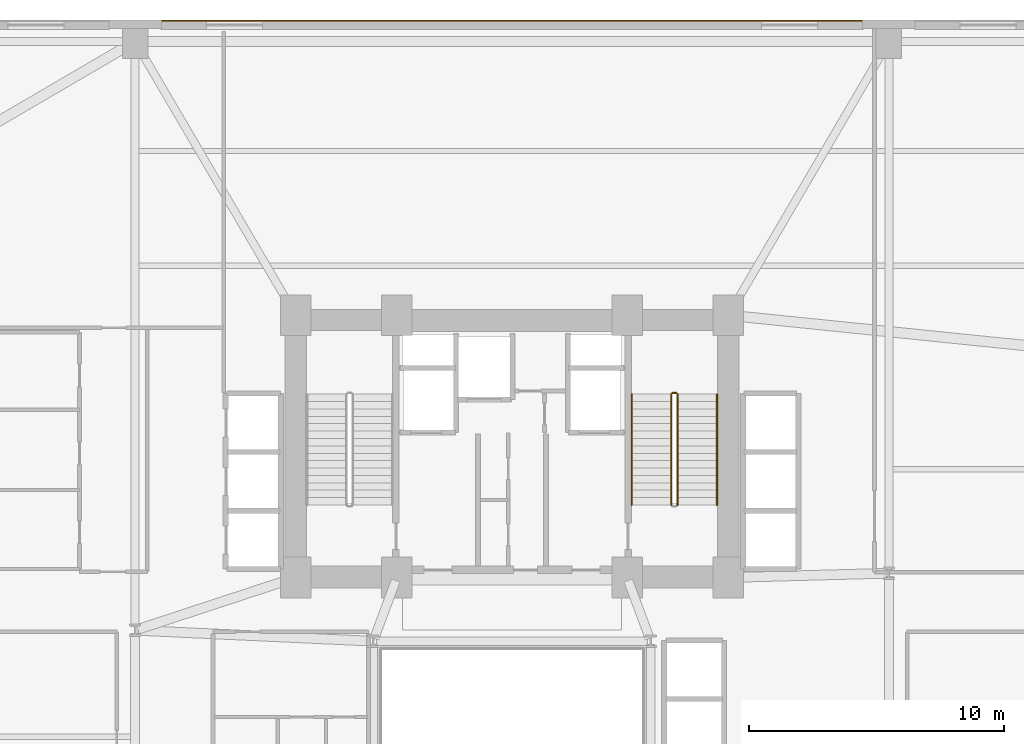
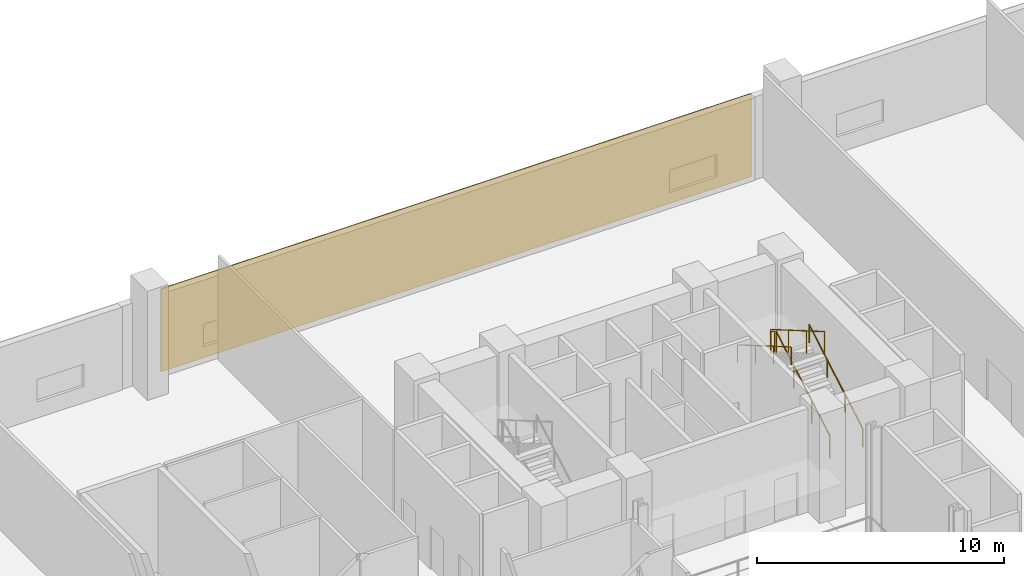
# One storey, part 30 of 31: 5 railings, 1 covering.
"""IFC4 building model written with IfcOpenShell, lengths in metres."""

from ifc_helpers import new_model, si_unit, direction, frame, origin, origin_2d, place, context, subcontext, project, spatial, rectangle, circle, extrude, source, transform, mapped, material, layer, layer_set, type_object, element, save


model = new_model("IFC4")

# Units and contexts
model_context = context("Model", 3, precision=1e-05, world=origin(), true_north=direction((0.0, 1.0)))
body_context = subcontext(model_context, "Body", "Model", "MODEL_VIEW")
ifc_project = project(units=[si_unit("LENGTHUNIT", "METRE"), si_unit("AREAUNIT", "SQUARE_METRE"), si_unit("VOLUMEUNIT", "CUBIC_METRE"), si_unit("PLANEANGLEUNIT", "RADIAN"), si_unit("MASSUNIT", "GRAM", prefix="KILO")], contexts=[model_context])

# Site, building, storey
site_placement = place(None, origin())
site = spatial("IfcSite", under=ifc_project, at=site_placement, CompositionType="ELEMENT")
building_placement = place(site_placement, origin())
building = spatial("IfcBuilding", under=site, at=building_placement, Name="Varnelok Gate Tower", CompositionType="ELEMENT")
storey_placement = place(building_placement, frame((0.0, 0.0, 21.60009765625)))
storey = spatial("IfcBuildingStorey", under=building, at=storey_placement, Name="L04", CompositionType="ELEMENT", Elevation=21.60009765625)

# Railings
ifc_material_1 = material(Name="Brushed Stainless Steel AISI 316", Category="steel")
railing_type_1 = type_object("IfcRailingType", Name="RL-HANDRAIL-900", PredefinedType="HANDRAIL", material=ifc_material_1)
railing_1_placement = place(storey_placement, frame((47.25, 31.60009765625, 0.168701171875)))
element("IfcRailing", 1, at=railing_1_placement, inside=storey, type_object=railing_type_1, Name="L04 ST-2 stair handrail 1", PredefinedType="HANDRAIL", context=body_context, shape_type="SweptSolid", body=[
    extrude(circle(Radius=0.02392578125, at=origin_2d()), frame((0.0, 0.0, 0.8759765625), z_axis=(0.0, 0.864311530196, 0.502956835891), x_axis=(-1.0, 0.0, 0.0)), (0.0, 0.0, 1.0), 5.03271484375),
    extrude(circle(Radius=0.02099609375, at=origin_2d()), origin(), (0.0, 0.0, 1.0), 0.851806640625),
    extrude(circle(Radius=0.02099609375, at=origin_2d()), frame((0.0, 1.449951171875, 0.84375)), (0.0, 0.0, 1.0), 0.851806640625),
    extrude(circle(Radius=0.02099609375, at=origin_2d()), frame((0.0, 2.89990234375, 1.6875)), (0.0, 0.0, 1.0), 0.851806640625),
    extrude(circle(Radius=0.02099609375, at=origin_2d()), frame((0.0, 4.349853515625, 2.53125)), (0.0, 0.0, 1.0), 0.851806640625),
])
railing_2_placement = place(storey_placement, frame((43.89990234375, 35.949951171875, 2.86865234375)))
element("IfcRailing", 2, at=railing_2_placement, inside=storey, type_object=railing_type_1, Name="L04 ST-2 stair handrail 2", PredefinedType="HANDRAIL", context=body_context, shape_type="SweptSolid", body=[
    extrude(circle(Radius=0.02392578125, at=origin_2d()), frame((0.0, 0.0, 0.8759765625), z_axis=(0.0, -0.864311530196, 0.502956835891), x_axis=(1.0, 0.0, 0.0)), (0.0, 0.0, 1.0), 5.03271484375),
    extrude(circle(Radius=0.02099609375, at=origin_2d()), origin(), (0.0, 0.0, 1.0), 0.851806640625),
    extrude(circle(Radius=0.02099609375, at=origin_2d()), frame((0.0, -1.449951171875, 0.84375)), (0.0, 0.0, 1.0), 0.851806640625),
    extrude(circle(Radius=0.02099609375, at=origin_2d()), frame((0.0, -2.89990234375, 1.6875)), (0.0, 0.0, 1.0), 0.851806640625),
    extrude(circle(Radius=0.02099609375, at=origin_2d()), frame((0.0, -4.349853515625, 2.53125)), (0.0, 0.0, 1.0), 0.851806640625),
])
ifc_material_2 = material(Name="Galvanized Steel Grade S350GD", Category="steel")
railing_type_2 = type_object("IfcRailingType", Name="RL-STAIR-GUARD1120", PredefinedType="GUARDRAIL", material=ifc_material_2)
railing_3_placement = place(storey_placement, frame((45.699951171875, 31.60009765625, 0.168701171875)))
element("IfcRailing", 3, at=railing_3_placement, inside=storey, type_object=railing_type_2, Name="L04 ST-2 stair guard 1", PredefinedType="GUARDRAIL", context=body_context, shape_type="SweptSolid", body=[
    extrude(circle(Radius=0.02392578125, at=origin_2d()), frame((0.0, 0.0, 1.09619140625), z_axis=(0.0, 0.864311530196, 0.502956835891), x_axis=(-1.0, 0.0, 0.0)), (0.0, 0.0, 1.0), 5.03271484375),
    extrude(circle(Radius=0.02099609375, at=origin_2d()), origin(), (0.0, 0.0, 1.0), 1.072021484375),
    extrude(circle(Radius=0.02099609375, at=origin_2d()), frame((0.0, 1.449951171875, 0.84375)), (0.0, 0.0, 1.0), 1.072021484375),
    extrude(circle(Radius=0.02099609375, at=origin_2d()), frame((0.0, 2.89990234375, 1.6875)), (0.0, 0.0, 1.0), 1.072021484375),
    extrude(circle(Radius=0.02099609375, at=origin_2d()), frame((0.0, 4.349853515625, 2.53125)), (0.0, 0.0, 1.0), 1.072021484375),
])
railing_4_placement = place(storey_placement, frame((45.64990234375, 36.0, 2.699951171875)))
element("IfcRailing", 4, at=railing_4_placement, inside=storey, type_object=railing_type_2, Name="L04 ST-2 stair guard 2", PredefinedType="GUARDRAIL", context=body_context, shape_type="SweptSolid", body=[
    extrude(circle(Radius=0.02392578125, at=origin_2d()), frame((0.0, 0.0, 1.09619140625), z_axis=(-1.0, 0.0, 0.0), x_axis=(0.0, -1.0, 0.0)), (0.0, 0.0, 1.0), 0.14990234375),
    extrude(circle(Radius=0.02099609375, at=origin_2d()), origin(), (0.0, 0.0, 1.0), 1.072021484375),
    extrude(circle(Radius=0.02099609375, at=origin_2d()), frame((-0.14990234375, 0.0, 0.0)), (0.0, 0.0, 1.0), 1.072021484375),
])
railing_5_placement = place(storey_placement, frame((45.449951171875, 35.949951171875, 2.86865234375)))
element("IfcRailing", 5, at=railing_5_placement, inside=storey, type_object=railing_type_2, Name="L04 ST-2 stair guard 3", PredefinedType="GUARDRAIL", context=body_context, shape_type="SweptSolid", body=[
    extrude(circle(Radius=0.02392578125, at=origin_2d()), frame((0.0, 0.0, 1.09619140625), z_axis=(0.0, -0.864311530196, 0.502956835891), x_axis=(1.0, 0.0, 0.0)), (0.0, 0.0, 1.0), 5.03271484375),
    extrude(circle(Radius=0.02099609375, at=origin_2d()), origin(), (0.0, 0.0, 1.0), 1.072021484375),
    extrude(circle(Radius=0.02099609375, at=origin_2d()), frame((0.0, -1.449951171875, 0.84375)), (0.0, 0.0, 1.0), 1.072021484375),
    extrude(circle(Radius=0.02099609375, at=origin_2d()), frame((0.0, -2.89990234375, 1.6875)), (0.0, 0.0, 1.0), 1.072021484375),
    extrude(circle(Radius=0.02099609375, at=origin_2d()), frame((0.0, -4.349853515625, 2.53125)), (0.0, 0.0, 1.0), 1.072021484375),
])

# Covering
ifc_material_3 = material(Name="Glazed Architectural Terracotta Ceramic", Category="masonry")
ifc_layer = layer(ifc_material_3, 0.044921875)
ifc_layer_set = layer_set([ifc_layer], Name="Glazed Architectural Terracotta Ceramic")
covering_type = type_object("IfcCoveringType", Name="COV-TERRA-CLAD", PredefinedType="CLADDING", material=ifc_layer_set)
shared_shape = source(origin(), body_context, "Body", "SweptSolid", [
    extrude(rectangle(XDim=27.60009765625, YDim=0.044921875, at=origin_2d()), origin(), (0.0, 0.0, 1.0), 4.10009765625),
])
covering_placement = place(storey_placement, frame((39.199951171875, 50.6220703125, -0.000244140625), z_axis=(0.0, 0.0, 1.0), x_axis=(1.0, 0.0, 0.0)))
element("IfcCovering", 6, at=covering_placement, inside=storey, type_object=covering_type, Name="L04 Terracotta Podium Rainscreen Cladding N2", PredefinedType="CLADDING", context=body_context, shape_type="MappedRepresentation", body=[
    mapped(shared_shape, transform((0.0, 0.0, 0.0), scale=1.0)),
])

save(model, "model.ifc")
